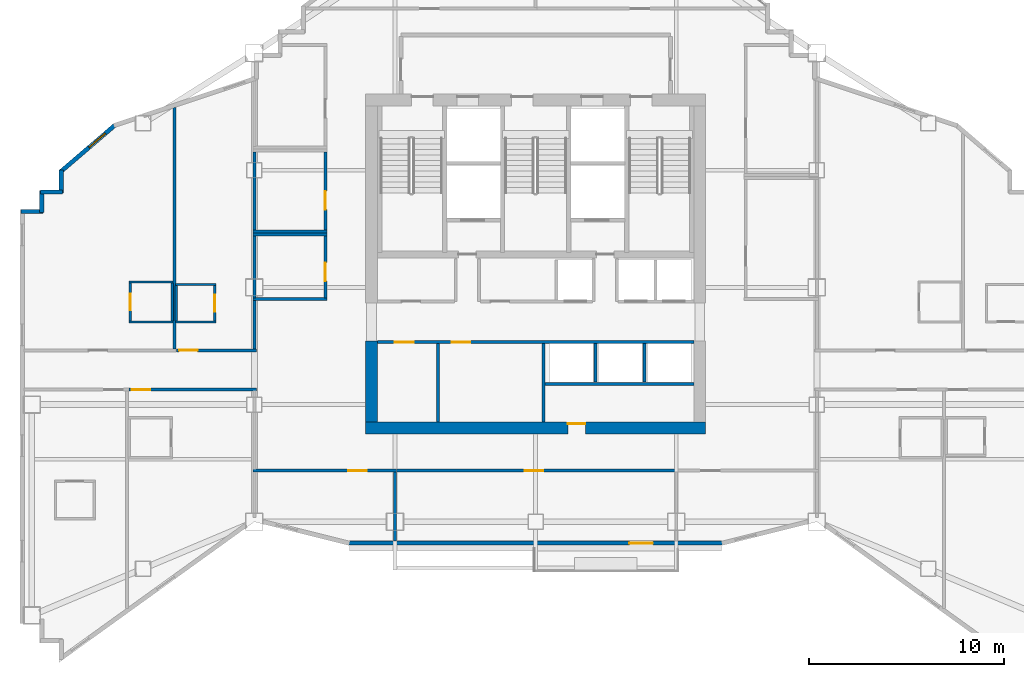
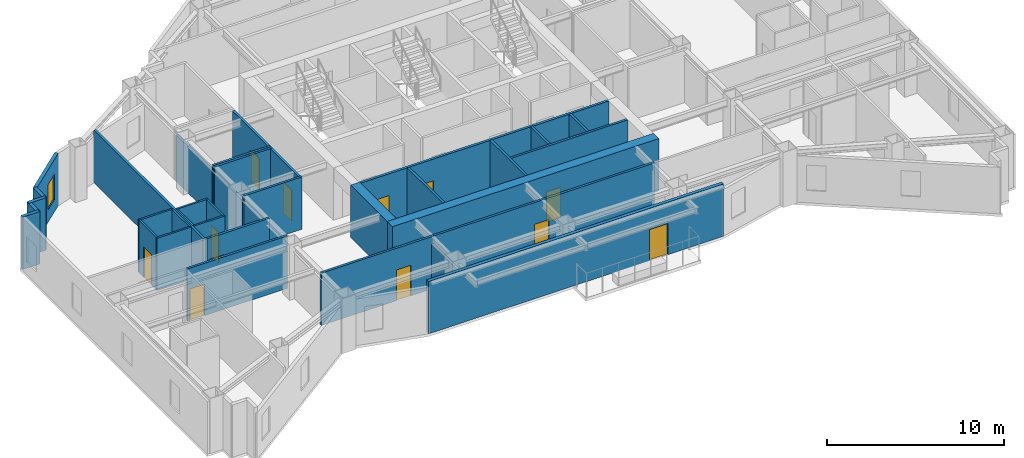
# One storey, part 5 of 10: 36 walls, 12 doors, 1 window, 13 openings.
"""IFC4 building model written with IfcOpenShell, lengths in metres."""

from ifc_helpers import new_model, si_unit, direction, frame, frame_2d, origin, place, context, subcontext, project, spatial, rectangle, extrude, material, layer, layer_set, type_object, element, fill, save


model = new_model("IFC4")

# Units and contexts
model_context = context("Model", 3, precision=1e-05, world=origin(), true_north=direction((0.0, 1.0)))
body_context = subcontext(model_context, "Body", "Model", "MODEL_VIEW")
ifc_project = project(units=[si_unit("LENGTHUNIT", "METRE"), si_unit("AREAUNIT", "SQUARE_METRE"), si_unit("VOLUMEUNIT", "CUBIC_METRE"), si_unit("PLANEANGLEUNIT", "RADIAN"), si_unit("MASSUNIT", "GRAM", prefix="KILO")], contexts=[model_context])

# Site, building, storey
site_placement = place(None, origin())
site = spatial("IfcSite", under=ifc_project, at=site_placement, CompositionType="ELEMENT")
building_placement = place(site_placement, origin())
building = spatial("IfcBuilding", under=site, at=building_placement, Name="Haolan Belvedere Tower", CompositionType="ELEMENT")
storey_placement = place(building_placement, frame((0.0, 0.0, 176.60009765625)))
storey = spatial("IfcBuildingStorey", under=building, at=storey_placement, Name="L44", CompositionType="ELEMENT", Elevation=176.60009765625)

# Wall, opening, door
ifc_material_1 = material(Name="Concrete C60/75", Category="concrete")
ifc_layer_1 = layer(ifc_material_1, 0.60009765625, Name="Concrete C60/75")
ifc_layer_set_1 = layer_set([ifc_layer_1], Name="Concrete C60/75")
wall_type_1 = type_object("IfcWallType", Name="WL-CORE-600", PredefinedType="SHEAR", material=ifc_layer_set_1)
wall_1_placement = place(storey_placement, frame((29.699951171875, 26.39990234375, 0.0), z_axis=(0.0, 0.0, 1.0), x_axis=(1.0, 0.0, 0.0)))
wall_1 = element("IfcWall", 1, at=wall_1_placement, inside=storey, type_object=wall_type_1, Name="L44 central core south shear wall", PredefinedType="SHEAR", context=body_context, shape_type="SweptSolid", body=[
    extrude(rectangle(XDim=17.400146484375, YDim=0.60009765625, at=frame_2d((8.7001953125, 0.0))), origin(), (0.0, 0.0, 1.0), 3.619873046875),
])
opening_1_placement = place(wall_1_placement, frame((11.25, 0.0, 0.0), z_axis=(0.0, 0.0, 1.0), x_axis=(-1.0, 0.0, 0.0)))
opening_1 = element("IfcOpeningElement", 2, at=opening_1_placement, cuts=wall_1, Name="Opening FD-05", PredefinedType="OPENING", context=body_context, shape_type="SweptSolid", body=[
    extrude(rectangle(XDim=0.89990234375, YDim=2.10009765625, at=frame_2d((0.449951171875, 1.050048828125))), frame((0.0, 0.31005859375, 0.0), z_axis=(0.0, -1.0, 0.0), x_axis=(1.0, 0.0, 0.0)), (0.0, 0.0, 1.0), 0.6201171875),
])
ifc_material_2 = material(Name="Galvanised fire-rated steel", Category="steel")
door_type_1 = type_object("IfcDoorType", Name="DR-FD60-900", OperationType="NOTDEFINED", PredefinedType="DOOR", material=ifc_material_2)
door_1_placement = place(opening_1_placement, origin())
door_1 = element("IfcDoor", 3, at=door_1_placement, inside=storey, type_object=door_type_1, Name="L44 door CD-L44-SCVE", OperationType="SINGLE_SWING_RIGHT", OverallHeight=2.10009765625, OverallWidth=0.89990234375, PredefinedType="DOOR", context=body_context, shape_type="SweptSolid", body=[
    extrude(rectangle(XDim=0.89990234375, YDim=2.10009765625, at=frame_2d((0.449951171875, 1.050048828125))), frame((0.0, -0.19482421875, 0.0), z_axis=(0.0, -1.0, 0.0), x_axis=(1.0, 0.0, 0.0)), (0.0, 0.0, 1.0), 0.050048828125),
])
fill(opening_1, door_1)

# Wall
wall_2_placement = place(storey_placement, frame((30.0, 26.699951171875, 0.0), z_axis=(0.0, 0.0, 1.0), x_axis=(0.0, 1.0, 0.0)))
element("IfcWall", 4, at=wall_2_placement, inside=storey, type_object=wall_type_1, Name="L44 central core shear wall WS", PredefinedType="SHEAR", context=body_context, shape_type="SweptSolid", body=[
    extrude(rectangle(XDim=4.150146484375, YDim=0.60009765625, at=frame_2d((2.0751953125, 0.0))), origin(), (0.0, 0.0, 1.0), 3.619873046875),
])

# Wall, opening, door
ifc_material_3 = material(Name="Precast concrete C40/50", Category="concrete")
ifc_layer_2 = layer(ifc_material_3, 0.219970703125, Name="Precast concrete C40/50")
ifc_layer_set_2 = layer_set([ifc_layer_2], Name="Precast concrete C40/50")
wall_type_2 = type_object("IfcWallType", Name="WL-EXT-220", PredefinedType="SOLIDWALL", material=ifc_layer_set_2)
wall_3_placement = place(storey_placement, frame((28.758544921875, 20.510009765625, 0.0), z_axis=(0.0, 0.0, 1.0), x_axis=(1.0, 0.0, 0.0)))
wall_3 = element("IfcWall", 5, at=wall_3_placement, inside=storey, type_object=wall_type_2, Name="L44 pale-metal exterior spandrel wall 1.1", PredefinedType="SOLIDWALL", context=body_context, shape_type="SweptSolid", body=[
    extrude(rectangle(XDim=19.282958984375, YDim=0.219970703125, at=frame_2d((9.6416015625, 0.0))), origin(), (0.0, 0.0, 1.0), 3.619873046875),
])
opening_2_placement = place(wall_3_placement, frame((15.641357421875, 0.0, 0.0), z_axis=(0.0, 0.0, 1.0), x_axis=(-1.0, 0.0, 0.0)))
opening_2 = element("IfcOpeningElement", 6, at=opening_2_placement, cuts=wall_3, Name="Opening BD-01", PredefinedType="OPENING", context=body_context, shape_type="SweptSolid", body=[
    extrude(rectangle(XDim=1.199951171875, YDim=2.14990234375, at=frame_2d((0.60009765625, 1.074951171875))), frame((0.0, 0.119873046875, 0.0), z_axis=(0.0, -1.0, 0.0), x_axis=(1.0, 0.0, 0.0)), (0.0, 0.0, 1.0), 0.239990234375),
])
ifc_material_4 = material(Name="Thermally broken pale-metal aluminium and Low-E glass", Category="aluminium")
door_type_2 = type_object("IfcDoorType", Name="DR-BAL-1200", OperationType="NOTDEFINED", PredefinedType="DOOR", material=ifc_material_4)
door_2_placement = place(opening_2_placement, origin())
door_2 = element("IfcDoor", 7, at=door_2_placement, inside=storey, type_object=door_type_2, Name="L44 tree-balcony access door 1", OperationType="SINGLE_SWING_RIGHT", OverallHeight=2.14990234375, OverallWidth=1.199951171875, PredefinedType="DOOR", context=body_context, shape_type="SweptSolid", body=[
    extrude(rectangle(XDim=1.199951171875, YDim=2.14990234375, at=frame_2d((0.60009765625, 1.074951171875))), frame((0.0, 0.02490234375, 0.0), z_axis=(0.0, -1.0, 0.0), x_axis=(1.0, 0.0, 0.0)), (0.0, 0.0, 1.0), 0.050048828125),
])
fill(opening_2, door_2)

# Wall, opening, window
wall_4_placement = place(storey_placement, frame((16.89697265625, 41.938232421875, 0.0), z_axis=(0.0, 0.0, 1.0), x_axis=(-0.759279729622, -0.650764390686, 0.0)))
wall_4 = element("IfcWall", 8, at=wall_4_placement, inside=storey, type_object=wall_type_2, Name="L44 pale-metal exterior spandrel wall 30.1", PredefinedType="SOLIDWALL", context=body_context, shape_type="SweptSolid", body=[
    extrude(rectangle(XDim=3.725830078125, YDim=0.219970703125, at=frame_2d((1.86279296875, 0.0))), origin(), (0.0, 0.0, 1.0), 3.619873046875),
])
opening_3_placement = place(wall_4_placement, frame((0.699951171875, 0.0, 0.85009765625)))
opening_3 = element("IfcOpeningElement", 9, at=opening_3_placement, cuts=wall_4, Name="Opening W-03", PredefinedType="OPENING", context=body_context, shape_type="SweptSolid", body=[
    extrude(rectangle(XDim=1.10009765625, YDim=1.75, at=frame_2d((0.550048828125, 0.875))), frame((0.0, 0.119873046875, 0.0), z_axis=(0.0, -1.0, 0.0), x_axis=(1.0, 0.0, 0.0)), (0.0, 0.0, 1.0), 0.239990234375),
])
ifc_material_5 = material(Name="Anodised aluminium 6063-T6 and Low-E glass", Category="aluminium")
window_type = type_object("IfcWindowType", Name="WN-DECO-Z3", PartitioningType="SINGLE_PANEL", PredefinedType="WINDOW", material=ifc_material_5)
window_placement = place(opening_3_placement, origin())
window = element("IfcWindow", 10, at=window_placement, inside=storey, type_object=window_type, Name="L44 Art Deco chevron window 1", OverallHeight=1.75, OverallWidth=1.10009765625, PartitioningType="SINGLE_PANEL", PredefinedType="WINDOW", context=body_context, shape_type="SweptSolid", body=[
    extrude(rectangle(XDim=1.10009765625, YDim=1.75, at=frame_2d((0.550048828125, 0.875))), frame((0.0, 0.030029296875, 0.0), z_axis=(0.0, -1.0, 0.0), x_axis=(1.0, 0.0, 0.0)), (0.0, 0.0, 1.0), 0.06005859375),
])
fill(opening_3, window)

# Walls
wall_5_placement = place(storey_placement, frame((14.110107421875, 39.6044921875, 0.0), z_axis=(0.0, 0.0, 1.0), x_axis=(0.0, -1.0, 0.0)))
element("IfcWall", 11, at=wall_5_placement, inside=storey, type_object=wall_type_2, Name="L44 pale-metal exterior spandrel wall 31.1", PredefinedType="SOLIDWALL", context=body_context, shape_type="SweptSolid", body=[
    extrude(rectangle(XDim=1.16943359375, YDim=0.219970703125, at=frame_2d((0.584716796875, 0.0))), origin(), (0.0, 0.0, 1.0), 3.619873046875),
])
wall_6_placement = place(storey_placement, frame((14.1650390625, 38.489990234375, 0.0), z_axis=(0.0, 0.0, 1.0), x_axis=(-1.0, 0.0, 0.0)))
element("IfcWall", 12, at=wall_6_placement, inside=storey, type_object=wall_type_2, Name="L44 pale-metal exterior spandrel wall 32.1", PredefinedType="SOLIDWALL", context=body_context, shape_type="SweptSolid", body=[
    extrude(rectangle(XDim=1.110107421875, YDim=0.219970703125, at=frame_2d((0.55517578125, 0.0))), origin(), (0.0, 0.0, 1.0), 3.619873046875),
])
wall_7_placement = place(storey_placement, frame((13.110107421875, 38.544921875, 0.0), z_axis=(0.0, 0.0, 1.0), x_axis=(0.0, -1.0, 0.0)))
element("IfcWall", 13, at=wall_7_placement, inside=storey, type_object=wall_type_2, Name="L44 pale-metal exterior spandrel wall 33.1", PredefinedType="SOLIDWALL", context=body_context, shape_type="SweptSolid", body=[
    extrude(rectangle(XDim=1.10986328125, YDim=0.219970703125, at=frame_2d((0.554931640625, 0.0))), origin(), (0.0, 0.0, 1.0), 3.619873046875),
])
wall_8_placement = place(storey_placement, frame((13.1650390625, 37.489990234375, 0.0), z_axis=(0.0, 0.0, 1.0), x_axis=(-1.0, 0.0, 0.0)))
element("IfcWall", 14, at=wall_8_placement, inside=storey, type_object=wall_type_2, Name="L44 pale-metal exterior spandrel wall 34.1", PredefinedType="SOLIDWALL", context=body_context, shape_type="SweptSolid", body=[
    extrude(rectangle(XDim=1.110107421875, YDim=0.219970703125, at=frame_2d((0.55517578125, 0.0))), origin(), (0.0, 0.0, 1.0), 3.619873046875),
])
ifc_material_6 = material(Name="Double gypsum acoustic stud partition", Category="masonry")
ifc_layer_3 = layer(ifc_material_6, 0.14990234375, Name="Double gypsum acoustic stud partition")
ifc_layer_set_3 = layer_set([ifc_layer_3], Name="Double gypsum acoustic stud partition")
wall_type_3 = type_object("IfcWallType", Name="WL-PART-150", PredefinedType="PARTITIONING", material=ifc_layer_set_3)
wall_9_placement = place(storey_placement, frame((33.39990234375, 26.7099609375, 0.0), z_axis=(0.0, 0.0, 1.0), x_axis=(0.0, 1.0, 0.0)))
element("IfcWall", 15, at=wall_9_placement, inside=storey, type_object=wall_type_3, Name="L44 interior partition IW-L44-DIV-REUSE-PM", PredefinedType="PARTITIONING", context=body_context, shape_type="SweptSolid", body=[
    extrude(rectangle(XDim=4.025146484375, YDim=0.14990234375, at=frame_2d((2.0126953125, 0.0))), origin(), (0.0, 0.0, 1.0), 3.619873046875),
])
wall_10_placement = place(storey_placement, frame((38.860107421875, 28.659912109375, 0.0), z_axis=(0.0, 0.0, 1.0), x_axis=(1.0, 0.0, 0.0)))
element("IfcWall", 16, at=wall_10_placement, inside=storey, type_object=wall_type_3, Name="L44 interior partition IW-L44-SSTRIP-E", PredefinedType="PARTITIONING", context=body_context, shape_type="SweptSolid", body=[
    extrude(rectangle(XDim=7.639892578125, YDim=0.14990234375, at=frame_2d((3.81982421875, 0.0))), origin(), (0.0, 0.0, 1.0), 3.619873046875),
])
for number, where, z_axis, x_axis, name in (
    (17, (23.919921875, 36.300048828125, 0.0), (0.0, 0.0, 1.0), (1.0, 0.0, 0.0), "L44 interior partition IW-L44-AWC-N"),
    (18, (23.919921875, 33.0, 0.0), (0.0, 0.0, 1.0), (1.0, 0.0, 0.0), "L44 interior partition IW-L44-AWC-S"),
):
    element("IfcWall", number, at=place(storey_placement, frame(where, z_axis=z_axis, x_axis=x_axis)), inside=storey, type_object=wall_type_3, Name=name, PredefinedType="PARTITIONING", context=body_context, shape_type="SweptSolid", body=[
        extrude(rectangle(XDim=3.800048828125, YDim=0.14990234375, at=frame_2d((1.89990234375, 0.0))), origin(), (0.0, 0.0, 1.0), 3.619873046875),
    ])
wall_11_placement = place(storey_placement, frame((24.0, 33.06005859375, 0.0), z_axis=(0.0, 0.0, 1.0), x_axis=(0.0, 1.0, 0.0)))
element("IfcWall", 19, at=wall_11_placement, inside=storey, type_object=wall_type_3, Name="L44 interior partition IW-L44-AWC-W", PredefinedType="PARTITIONING", context=body_context, shape_type="SweptSolid", body=[
    extrude(rectangle(XDim=3.179931640625, YDim=0.14990234375, at=frame_2d((1.58984375, 0.0))), origin(), (0.0, 0.0, 1.0), 3.21484375),
])

# Wall, opening, door
wall_12_placement = place(storey_placement, frame((27.639892578125, 33.06005859375, 0.0), z_axis=(0.0, 0.0, 1.0), x_axis=(0.0, 1.0, 0.0)))
wall_12 = element("IfcWall", 20, at=wall_12_placement, inside=storey, type_object=wall_type_3, Name="L44 interior partition IW-L44-AWC-E", PredefinedType="PARTITIONING", context=body_context, shape_type="SweptSolid", body=[
    extrude(rectangle(XDim=3.179931640625, YDim=0.14990234375, at=frame_2d((1.58984375, 0.0))), origin(), (0.0, 0.0, 1.0), 3.619873046875),
])
opening_4_placement = place(wall_12_placement, frame((1.81005859375, 0.0, 0.0), z_axis=(0.0, 0.0, 1.0), x_axis=(-1.0, 0.0, 0.0)))
opening_4 = element("IfcOpeningElement", 21, at=opening_4_placement, cuts=wall_12, Name="Opening ID-03", PredefinedType="OPENING", context=body_context, shape_type="SweptSolid", body=[
    extrude(rectangle(XDim=0.949951171875, YDim=2.1201171875, at=frame_2d((0.47509765625, 1.06005859375))), frame((0.0, 0.0849609375, 0.0), z_axis=(0.0, -1.0, 0.0), x_axis=(1.0, 0.0, 0.0)), (0.0, 0.0, 1.0), 0.169921875),
])
ifc_material_7 = material(Name="Painted solid-core timber", Category="wood")
door_type_3 = type_object("IfcDoorType", Name="DR-INT-950", OperationType="NOTDEFINED", PredefinedType="DOOR", material=ifc_material_7)
door_3_placement = place(opening_4_placement, origin())
door_3 = element("IfcDoor", 22, at=door_3_placement, inside=storey, type_object=door_type_3, Name="L44 door ID-L44-AWC", OperationType="SINGLE_SWING_LEFT", OverallHeight=2.1201171875, OverallWidth=0.949951171875, PredefinedType="DOOR", context=body_context, shape_type="SweptSolid", body=[
    extrude(rectangle(XDim=0.949951171875, YDim=2.1201171875, at=frame_2d((0.47509765625, 1.06005859375))), frame((0.0, 0.02490234375, 0.0), z_axis=(0.0, -1.0, 0.0), x_axis=(1.0, 0.0, 0.0)), (0.0, 0.0, 1.0), 0.050048828125),
])
fill(opening_4, door_3)

# Walls
wall_13_placement = place(storey_placement, frame((23.919921875, 36.4599609375, 0.0), z_axis=(0.0, 0.0, 1.0), x_axis=(1.0, 0.0, 0.0)))
element("IfcWall", 23, at=wall_13_placement, inside=storey, type_object=wall_type_3, Name="L44 interior partition IW-L44-PNT-S", PredefinedType="PARTITIONING", context=body_context, shape_type="SweptSolid", body=[
    extrude(rectangle(XDim=3.800048828125, YDim=0.14990234375, at=frame_2d((1.89990234375, 0.0))), origin(), (0.0, 0.0, 1.0), 3.619873046875),
])
wall_14_placement = place(storey_placement, frame((24.0, 36.52001953125, 0.0), z_axis=(0.0, 0.0, 1.0), x_axis=(0.0, 1.0, 0.0)))
element("IfcWall", 24, at=wall_14_placement, inside=storey, type_object=wall_type_3, Name="L44 interior partition IW-L44-PNT-W", PredefinedType="PARTITIONING", context=body_context, shape_type="SweptSolid", body=[
    extrude(rectangle(XDim=4.02001953125, YDim=0.14990234375, at=frame_2d((2.010009765625, 0.0))), origin(), (0.0, 0.0, 1.0), 3.21484375),
])

# Wall, opening, door
wall_15_placement = place(storey_placement, frame((27.639892578125, 36.52001953125, 0.0), z_axis=(0.0, 0.0, 1.0), x_axis=(0.0, 1.0, 0.0)))
wall_15 = element("IfcWall", 25, at=wall_15_placement, inside=storey, type_object=wall_type_3, Name="L44 interior partition IW-L44-PNT-E", PredefinedType="PARTITIONING", context=body_context, shape_type="SweptSolid", body=[
    extrude(rectangle(XDim=4.02001953125, YDim=0.14990234375, at=frame_2d((2.010009765625, 0.0))), origin(), (0.0, 0.0, 1.0), 3.619873046875),
])
opening_5_placement = place(wall_15_placement, frame((2.010009765625, 0.0, 0.0), z_axis=(0.0, 0.0, 1.0), x_axis=(-1.0, 0.0, 0.0)))
opening_5 = element("IfcOpeningElement", 26, at=opening_5_placement, cuts=wall_15, Name="Opening ID-03", PredefinedType="OPENING", context=body_context, shape_type="SweptSolid", body=[
    extrude(rectangle(XDim=0.949951171875, YDim=2.1201171875, at=frame_2d((0.47509765625, 1.06005859375))), frame((0.0, 0.0849609375, 0.0), z_axis=(0.0, -1.0, 0.0), x_axis=(1.0, 0.0, 0.0)), (0.0, 0.0, 1.0), 0.169921875),
])
door_4_placement = place(opening_5_placement, origin())
door_4 = element("IfcDoor", 27, at=door_4_placement, inside=storey, type_object=door_type_3, Name="L44 door ID-L44-PNT", OperationType="SINGLE_SWING_RIGHT", OverallHeight=2.1201171875, OverallWidth=0.949951171875, PredefinedType="DOOR", context=body_context, shape_type="SweptSolid", body=[
    extrude(rectangle(XDim=0.949951171875, YDim=2.1201171875, at=frame_2d((0.47509765625, 1.06005859375))), frame((0.0, 0.02490234375, 0.0), z_axis=(0.0, -1.0, 0.0), x_axis=(1.0, 0.0, 0.0)), (0.0, 0.0, 1.0), 0.050048828125),
])
fill(opening_5, door_4)

wall_16_placement = place(storey_placement, frame((23.919921875, 24.219970703125, 0.0), z_axis=(0.0, 0.0, 1.0), x_axis=(1.0, 0.0, 0.0)))
wall_16 = element("IfcWall", 28, at=wall_16_placement, inside=storey, type_object=wall_type_3, Name="L44 interior partition IW-L44-KS1-N", PredefinedType="PARTITIONING", context=body_context, shape_type="SweptSolid", body=[
    extrude(rectangle(XDim=7.360107421875, YDim=0.14990234375, at=frame_2d((3.68017578125, 0.0))), origin(), (0.0, 0.0, 1.0), 3.619873046875),
])
opening_6_placement = place(wall_16_placement, frame((5.844970703125, 0.0, 0.0), z_axis=(0.0, 0.0, 1.0), x_axis=(-1.0, 0.0, 0.0)))
opening_6 = element("IfcOpeningElement", 29, at=opening_6_placement, cuts=wall_16, Name="Opening ID-03", PredefinedType="OPENING", context=body_context, shape_type="SweptSolid", body=[
    extrude(rectangle(XDim=0.949951171875, YDim=2.1201171875, at=frame_2d((0.47509765625, 1.06005859375))), frame((0.0, 0.0849609375, 0.0), z_axis=(0.0, -1.0, 0.0), x_axis=(1.0, 0.0, 0.0)), (0.0, 0.0, 1.0), 0.169921875),
])
door_5_placement = place(opening_6_placement, origin())
door_5 = element("IfcDoor", 30, at=door_5_placement, inside=storey, type_object=door_type_3, Name="L44 door ID-L44-KS1", OperationType="SINGLE_SWING_RIGHT", OverallHeight=2.1201171875, OverallWidth=0.949951171875, PredefinedType="DOOR", context=body_context, shape_type="SweptSolid", body=[
    extrude(rectangle(XDim=0.949951171875, YDim=2.1201171875, at=frame_2d((0.47509765625, 1.06005859375))), frame((0.0, 0.02490234375, 0.0), z_axis=(0.0, -1.0, 0.0), x_axis=(1.0, 0.0, 0.0)), (0.0, 0.0, 1.0), 0.050048828125),
])
fill(opening_6, door_5)

# Wall
wall_17_placement = place(storey_placement, frame((31.199951171875, 20.612060546875, 0.0), z_axis=(0.0, 0.0, 1.0), x_axis=(0.0, 1.0, 0.0)))
element("IfcWall", 31, at=wall_17_placement, inside=storey, type_object=wall_type_3, Name="L44 interior partition IW-L44-KS1-E", PredefinedType="PARTITIONING", context=body_context, shape_type="SweptSolid", body=[
    extrude(rectangle(XDim=3.5478515625, YDim=0.14990234375, at=frame_2d((1.77392578125, 0.0))), origin(), (0.0, 0.0, 1.0), 3.10498046875),
])

# Wall, opening, door
wall_18_placement = place(storey_placement, frame((31.281982421875, 24.219970703125, 0.0), z_axis=(0.0, 0.0, 1.0), x_axis=(1.0, 0.0, 0.0)))
wall_18 = element("IfcWall", 32, at=wall_18_placement, inside=storey, type_object=wall_type_3, Name="L44 interior partition IW-L44-KS2-N", PredefinedType="PARTITIONING", context=body_context, shape_type="SweptSolid", body=[
    extrude(rectangle(XDim=14.39794921875, YDim=0.14990234375, at=frame_2d((7.198974609375, 0.0))), origin(), (0.0, 0.0, 1.0), 3.619873046875),
])
opening_7_placement = place(wall_18_placement, frame((7.512939453125, 0.0, 0.0), z_axis=(0.0, 0.0, 1.0), x_axis=(-1.0, 0.0, 0.0)))
opening_7 = element("IfcOpeningElement", 33, at=opening_7_placement, cuts=wall_18, Name="Opening ID-03", PredefinedType="OPENING", context=body_context, shape_type="SweptSolid", body=[
    extrude(rectangle(XDim=0.949951171875, YDim=2.1201171875, at=frame_2d((0.47509765625, 1.06005859375))), frame((0.0, 0.0849609375, 0.0), z_axis=(0.0, -1.0, 0.0), x_axis=(1.0, 0.0, 0.0)), (0.0, 0.0, 1.0), 0.169921875),
])
door_6_placement = place(opening_7_placement, origin())
door_6 = element("IfcDoor", 34, at=door_6_placement, inside=storey, type_object=door_type_3, Name="L44 door ID-L44-KS2", OperationType="SINGLE_SWING_LEFT", OverallHeight=2.1201171875, OverallWidth=0.949951171875, PredefinedType="DOOR", context=body_context, shape_type="SweptSolid", body=[
    extrude(rectangle(XDim=0.949951171875, YDim=2.1201171875, at=frame_2d((0.47509765625, 1.06005859375))), frame((0.0, 0.02490234375, 0.0), z_axis=(0.0, -1.0, 0.0), x_axis=(1.0, 0.0, 0.0)), (0.0, 0.0, 1.0), 0.050048828125),
])
fill(opening_7, door_6)

# Wall
wall_19_placement = place(storey_placement, frame((19.89990234375, 30.43994140625, 0.0), z_axis=(0.0, 0.0, 1.0), x_axis=(0.0, 1.0, 0.0)))
element("IfcWall", 35, at=wall_19_placement, inside=storey, type_object=wall_type_3, Name="L44 interior partition IW-L44-T2N1-E", PredefinedType="PARTITIONING", context=body_context, shape_type="SweptSolid", body=[
    extrude(rectangle(XDim=12.369873046875, YDim=0.14990234375, at=frame_2d((6.18505859375, 0.0))), origin(), (0.0, 0.0, 1.0), 3.619873046875),
])

# Wall, opening, door
wall_20_placement = place(storey_placement, frame((20.001953125, 30.3798828125, 0.0), z_axis=(0.0, 0.0, 1.0), x_axis=(1.0, 0.0, 0.0)))
wall_20 = element("IfcWall", 36, at=wall_20_placement, inside=storey, type_object=wall_type_3, Name="L44 interior partition IW-L44-T2N2-S", PredefinedType="PARTITIONING", context=body_context, shape_type="SweptSolid", body=[
    extrude(rectangle(XDim=4.09814453125, YDim=0.14990234375, at=frame_2d((2.049072265625, 0.0))), origin(), (0.0, 0.0, 1.0), 3.619873046875),
])
opening_8_placement = place(wall_20_placement, frame((0.139892578125, 0.0, 0.0)))
opening_8 = element("IfcOpeningElement", 37, at=opening_8_placement, cuts=wall_20, Name="Opening ID-02", PredefinedType="OPENING", context=body_context, shape_type="SweptSolid", body=[
    extrude(rectangle(XDim=0.949951171875, YDim=2.14990234375, at=frame_2d((0.47509765625, 1.074951171875))), frame((0.0, 0.0849609375, 0.0), z_axis=(0.0, -1.0, 0.0), x_axis=(1.0, 0.0, 0.0)), (0.0, 0.0, 1.0), 0.169921875),
])
ifc_material_8 = material(Name="Acoustic oak veneer fire-rated timber", Category="wood")
door_type_4 = type_object("IfcDoorType", Name="DR-GUEST-950", OperationType="NOTDEFINED", PredefinedType="DOOR", material=ifc_material_8)
door_7_placement = place(opening_8_placement, origin())
door_7 = element("IfcDoor", 38, at=door_7_placement, inside=storey, type_object=door_type_4, Name="L44 door ID-L44-T2N2-ENT", OperationType="SINGLE_SWING_RIGHT", OverallHeight=2.14990234375, OverallWidth=0.949951171875, PredefinedType="DOOR", context=body_context, shape_type="SweptSolid", body=[
    extrude(rectangle(XDim=0.949951171875, YDim=2.14990234375, at=frame_2d((0.47509765625, 1.074951171875))), frame((0.0, 0.02490234375, 0.0), z_axis=(0.0, -1.0, 0.0), x_axis=(1.0, 0.0, 0.0)), (0.0, 0.0, 1.0), 0.050048828125),
])
fill(opening_8, door_7)

# Wall
wall_21_placement = place(storey_placement, frame((24.0, 30.43994140625, 0.0), z_axis=(0.0, 0.0, 1.0), x_axis=(0.0, 1.0, 0.0)))
element("IfcWall", 39, at=wall_21_placement, inside=storey, type_object=wall_type_3, Name="L44 interior partition IW-L44-T2N2-E", PredefinedType="PARTITIONING", context=body_context, shape_type="SweptSolid", body=[
    extrude(rectangle(XDim=2.5, YDim=0.14990234375, at=frame_2d((1.25, 0.0))), origin(), (0.0, 0.0, 1.0), 3.21484375),
])

# Wall, opening, door
wall_22_placement = place(storey_placement, frame((17.58203125, 28.3701171875, 0.0), z_axis=(0.0, 0.0, 1.0), x_axis=(1.0, 0.0, 0.0)))
wall_22 = element("IfcWall", 40, at=wall_22_placement, inside=storey, type_object=wall_type_3, Name="L44 interior partition IW-L44-T2S2-N", PredefinedType="PARTITIONING", context=body_context, shape_type="SweptSolid", body=[
    extrude(rectangle(XDim=6.51806640625, YDim=0.14990234375, at=frame_2d((3.259033203125, 0.0))), origin(), (0.0, 0.0, 1.0), 3.619873046875),
])
opening_9_placement = place(wall_22_placement, frame((1.08984375, 0.0, 0.0), z_axis=(0.0, 0.0, 1.0), x_axis=(-1.0, 0.0, 0.0)))
opening_9 = element("IfcOpeningElement", 41, at=opening_9_placement, cuts=wall_22, Name="Opening ID-01", PredefinedType="OPENING", context=body_context, shape_type="SweptSolid", body=[
    extrude(rectangle(XDim=0.949951171875, YDim=2.179931640625, at=frame_2d((0.47509765625, 1.08984375))), frame((0.0, 0.0849609375, 0.0), z_axis=(0.0, -1.0, 0.0), x_axis=(1.0, 0.0, 0.0)), (0.0, 0.0, 1.0), 0.169921875),
])
ifc_material_9 = material(Name="Acoustic walnut veneer fire-rated timber", Category="wood")
door_type_5 = type_object("IfcDoorType", Name="DR-SUITE-950", OperationType="NOTDEFINED", PredefinedType="DOOR", material=ifc_material_9)
door_8_placement = place(opening_9_placement, origin())
door_8 = element("IfcDoor", 42, at=door_8_placement, inside=storey, type_object=door_type_5, Name="L44 door ID-L44-T2S2-ENT", OperationType="SINGLE_SWING_RIGHT", OverallHeight=2.179931640625, OverallWidth=0.949951171875, PredefinedType="DOOR", context=body_context, shape_type="SweptSolid", body=[
    extrude(rectangle(XDim=0.949951171875, YDim=2.179931640625, at=frame_2d((0.47509765625, 1.08984375))), frame((0.0, 0.02490234375, 0.0), z_axis=(0.0, -1.0, 0.0), x_axis=(1.0, 0.0, 0.0)), (0.0, 0.0, 1.0), 0.050048828125),
])
fill(opening_9, door_8)

# Wall, openings, doors
ifc_material_10 = material(Name="Gypsum fire shaftwall assembly", Category="masonry")
ifc_layer_4 = layer(ifc_material_10, 0.1650390625, Name="Gypsum fire shaftwall assembly")
ifc_layer_set_4 = layer_set([ifc_layer_4], Name="Gypsum fire shaftwall assembly")
wall_type_4 = type_object("IfcWallType", Name="WL-SHAFT-160", PredefinedType="SOLIDWALL", material=ifc_layer_set_4)
wall_23_placement = place(storey_placement, frame((30.300048828125, 30.800048828125, 0.0), z_axis=(0.0, 0.0, 1.0), x_axis=(1.0, 0.0, 0.0)))
wall_23 = element("IfcWall", 43, at=wall_23_placement, inside=storey, type_object=wall_type_4, Name="L44 interior partition IW-L44-ROW-PS", PredefinedType="SOLIDWALL", context=body_context, shape_type="SweptSolid", body=[
    extrude(rectangle(XDim=16.199951171875, YDim=0.159912109375, at=frame_2d((8.10009765625, 0.0))), origin(), (0.0, 0.0, 1.0), 3.619873046875),
])
opening_10_placement = place(wall_23_placement, frame((0.89990234375, 0.0, 0.0)))
opening_10 = element("IfcOpeningElement", 44, at=opening_10_placement, cuts=wall_23, Name="Opening ID-03", PredefinedType="OPENING", context=body_context, shape_type="SweptSolid", body=[
    extrude(rectangle(XDim=0.949951171875, YDim=2.1201171875, at=frame_2d((0.47509765625, 1.06005859375))), frame((0.0, 0.08984375, 0.0), z_axis=(0.0, -1.0, 0.0), x_axis=(1.0, 0.0, 0.0)), (0.0, 0.0, 1.0), 0.179931640625),
])
opening_11_placement = place(wall_23_placement, frame((3.800048828125, 0.0, 0.0)))
opening_11 = element("IfcOpeningElement", 45, at=opening_11_placement, cuts=wall_23, Name="Opening ID-03", PredefinedType="OPENING", context=body_context, shape_type="SweptSolid", body=[
    extrude(rectangle(XDim=0.949951171875, YDim=2.1201171875, at=frame_2d((0.47509765625, 1.06005859375))), frame((0.0, 0.08984375, 0.0), z_axis=(0.0, -1.0, 0.0), x_axis=(1.0, 0.0, 0.0)), (0.0, 0.0, 1.0), 0.179931640625),
])
door_9_placement = place(opening_10_placement, origin())
door_9 = element("IfcDoor", 46, at=door_9_placement, inside=storey, type_object=door_type_3, Name="L44 door ID-L44-CD-RPMA", OperationType="SINGLE_SWING_LEFT", OverallHeight=2.1201171875, OverallWidth=0.949951171875, PredefinedType="DOOR", context=body_context, shape_type="SweptSolid", body=[
    extrude(rectangle(XDim=0.949951171875, YDim=2.1201171875, at=frame_2d((0.47509765625, 1.06005859375))), frame((0.0, 0.02490234375, 0.0), z_axis=(0.0, -1.0, 0.0), x_axis=(1.0, 0.0, 0.0)), (0.0, 0.0, 1.0), 0.050048828125),
])
fill(opening_10, door_9)
door_10_placement = place(opening_11_placement, origin())
door_10 = element("IfcDoor", 47, at=door_10_placement, inside=storey, type_object=door_type_3, Name="L44 door ID-L44-CD-RPMB", OperationType="SINGLE_SWING_RIGHT", OverallHeight=2.1201171875, OverallWidth=0.949951171875, PredefinedType="DOOR", context=body_context, shape_type="SweptSolid", body=[
    extrude(rectangle(XDim=0.949951171875, YDim=2.1201171875, at=frame_2d((0.47509765625, 1.06005859375))), frame((0.0, 0.02490234375, 0.0), z_axis=(0.0, -1.0, 0.0), x_axis=(1.0, 0.0, 0.0)), (0.0, 0.0, 1.0), 0.050048828125),
])
fill(opening_11, door_10)

# Walls
wall_24_placement = place(storey_placement, frame((38.800048828125, 26.7099609375, 0.0), z_axis=(0.0, 0.0, 1.0), x_axis=(0.0, 1.0, 0.0)))
element("IfcWall", 48, at=wall_24_placement, inside=storey, type_object=wall_type_4, Name="L44 interior partition IW-L44-DIV-PM-OB", PredefinedType="SOLIDWALL", context=body_context, shape_type="SweptSolid", body=[
    extrude(rectangle(XDim=4.025146484375, YDim=0.14990234375, at=frame_2d((2.0126953125, 0.0))), origin(), (0.0, 0.0, 1.0), 3.619873046875),
])
for number, where, z_axis, x_axis, name in (
    (49, (41.469970703125, 28.75, 0.0), (0.0, 0.0, 1.0), (0.0, 1.0, 0.0), "L44 interior partition IW-L44-DIV-OB1"),
    (50, (43.97998046875, 28.75, 0.0), (0.0, 0.0, 1.0), (0.0, 1.0, 0.0), "L44 interior partition IW-L44-DIV-OB2"),
):
    element("IfcWall", number, at=place(storey_placement, frame(where, z_axis=z_axis, x_axis=x_axis)), inside=storey, type_object=wall_type_4, Name=name, PredefinedType="SOLIDWALL", context=body_context, shape_type="SweptSolid", body=[
        extrude(rectangle(XDim=1.985107421875, YDim=0.14990234375, at=frame_2d((0.99267578125, 0.0))), origin(), (0.0, 0.0, 1.0), 3.619873046875),
    ])
ifc_material_11 = material(Name="Moisture-resistant gypsum tile partition", Category="masonry")
ifc_layer_5 = layer(ifc_material_11, 0.1201171875, Name="Moisture-resistant gypsum tile partition")
ifc_layer_set_5 = layer_set([ifc_layer_5], Name="Moisture-resistant gypsum tile partition")
wall_type_5 = type_object("IfcWallType", Name="WL-WET-120", PredefinedType="PARTITIONING", material=ifc_layer_set_5)
for number, where, z_axis, x_axis, name in (
    (51, (17.590087890625, 33.8798828125, 0.0), (0.0, 0.0, 1.0), (1.0, 0.0, 0.0), "L44 interior partition IW-L44-T2N1-BN"),
    (52, (17.590087890625, 31.830078125, 0.0), (0.0, 0.0, 1.0), (1.0, 0.0, 0.0), "L44 interior partition IW-L44-T2N1-BS"),
):
    element("IfcWall", number, at=place(storey_placement, frame(where, z_axis=z_axis, x_axis=x_axis)), inside=storey, type_object=wall_type_5, Name=name, PredefinedType="PARTITIONING", context=body_context, shape_type="SweptSolid", body=[
        extrude(rectangle(XDim=2.25, YDim=0.1201171875, at=frame_2d((1.125, 0.0))), origin(), (0.0, 0.0, 1.0), 3.619873046875),
    ])

# Wall, opening, door
wall_25_placement = place(storey_placement, frame((17.64990234375, 31.875, 0.0), z_axis=(0.0, 0.0, 1.0), x_axis=(0.0, 1.0, 0.0)))
wall_25 = element("IfcWall", 53, at=wall_25_placement, inside=storey, type_object=wall_type_5, Name="L44 interior partition IW-L44-T2N1-BW", PredefinedType="PARTITIONING", context=body_context, shape_type="SweptSolid", body=[
    extrude(rectangle(XDim=1.9599609375, YDim=0.1201171875, at=frame_2d((0.97998046875, 0.0))), origin(), (0.0, 0.0, 1.0), 3.619873046875),
])
opening_12_placement = place(wall_25_placement, frame((1.405029296875, 0.0, 0.0), z_axis=(0.0, 0.0, 1.0), x_axis=(-1.0, 0.0, 0.0)))
opening_12 = element("IfcOpeningElement", 54, at=opening_12_placement, cuts=wall_25, Name="Opening ID-05", PredefinedType="OPENING", context=body_context, shape_type="SweptSolid", body=[
    extrude(rectangle(XDim=0.85009765625, YDim=2.10009765625, at=frame_2d((0.425048828125, 1.050048828125))), frame((0.0, 0.070068359375, 0.0), z_axis=(0.0, -1.0, 0.0), x_axis=(1.0, 0.0, 0.0)), (0.0, 0.0, 1.0), 0.14013671875),
])
ifc_material_12 = material(Name="Moisture-resistant lacquered timber", Category="wood")
door_type_6 = type_object("IfcDoorType", Name="DR-BATH-850", OperationType="NOTDEFINED", PredefinedType="DOOR", material=ifc_material_12)
door_11_placement = place(opening_12_placement, origin())
door_11 = element("IfcDoor", 55, at=door_11_placement, inside=storey, type_object=door_type_6, Name="L44 door ID-L44-T2N1-BATH", OperationType="SINGLE_SWING_RIGHT", OverallHeight=2.10009765625, OverallWidth=0.85009765625, PredefinedType="DOOR", context=body_context, shape_type="SweptSolid", body=[
    extrude(rectangle(XDim=0.85009765625, YDim=2.10009765625, at=frame_2d((0.425048828125, 1.050048828125))), frame((0.0, 0.02490234375, 0.0), z_axis=(0.0, -1.0, 0.0), x_axis=(1.0, 0.0, 0.0)), (0.0, 0.0, 1.0), 0.050048828125),
])
fill(opening_12, door_11)

# Walls
wall_26_placement = place(storey_placement, frame((19.800048828125, 31.875, 0.0), z_axis=(0.0, 0.0, 1.0), x_axis=(0.0, 1.0, 0.0)))
element("IfcWall", 56, at=wall_26_placement, inside=storey, type_object=wall_type_5, Name="L44 interior partition IW-L44-T2N1-BE", PredefinedType="PARTITIONING", context=body_context, shape_type="SweptSolid", body=[
    extrude(rectangle(XDim=1.9599609375, YDim=0.1201171875, at=frame_2d((0.97998046875, 0.0))), origin(), (0.0, 0.0, 1.0), 3.619873046875),
])
for number, where, z_axis, x_axis, name in (
    (57, (19.9599609375, 33.75, 0.0), (0.0, 0.0, 1.0), (1.0, 0.0, 0.0), "L44 interior partition IW-L44-T2N2-BN"),
    (58, (19.9599609375, 31.830078125, 0.0), (0.0, 0.0, 1.0), (1.0, 0.0, 0.0), "L44 interior partition IW-L44-T2N2-BS"),
):
    element("IfcWall", number, at=place(storey_placement, frame(where, z_axis=z_axis, x_axis=x_axis)), inside=storey, type_object=wall_type_5, Name=name, PredefinedType="PARTITIONING", context=body_context, shape_type="SweptSolid", body=[
        extrude(rectangle(XDim=2.080078125, YDim=0.1201171875, at=frame_2d((1.0400390625, 0.0))), origin(), (0.0, 0.0, 1.0), 3.619873046875),
    ])
wall_27_placement = place(storey_placement, frame((20.0, 31.875, 0.0), z_axis=(0.0, 0.0, 1.0), x_axis=(0.0, 1.0, 0.0)))
element("IfcWall", 59, at=wall_27_placement, inside=storey, type_object=wall_type_5, Name="L44 interior partition IW-L44-T2N2-BW", PredefinedType="PARTITIONING", context=body_context, shape_type="SweptSolid", body=[
    extrude(rectangle(XDim=1.830078125, YDim=0.1201171875, at=frame_2d((0.9150390625, 0.0))), origin(), (0.0, 0.0, 1.0), 3.619873046875),
])

# Wall, opening, door
wall_28_placement = place(storey_placement, frame((21.97998046875, 31.875, 0.0), z_axis=(0.0, 0.0, 1.0), x_axis=(0.0, 1.0, 0.0)))
wall_28 = element("IfcWall", 60, at=wall_28_placement, inside=storey, type_object=wall_type_5, Name="L44 interior partition IW-L44-T2N2-BE", PredefinedType="PARTITIONING", context=body_context, shape_type="SweptSolid", body=[
    extrude(rectangle(XDim=1.830078125, YDim=0.1201171875, at=frame_2d((0.9150390625, 0.0))), origin(), (0.0, 0.0, 1.0), 3.619873046875),
])
opening_13_placement = place(wall_28_placement, frame((0.489990234375, 0.0, 0.0)))
opening_13 = element("IfcOpeningElement", 61, at=opening_13_placement, cuts=wall_28, Name="Opening ID-05", PredefinedType="OPENING", context=body_context, shape_type="SweptSolid", body=[
    extrude(rectangle(XDim=0.85009765625, YDim=2.10009765625, at=frame_2d((0.425048828125, 1.050048828125))), frame((0.0, 0.070068359375, 0.0), z_axis=(0.0, -1.0, 0.0), x_axis=(1.0, 0.0, 0.0)), (0.0, 0.0, 1.0), 0.14013671875),
])
door_12_placement = place(opening_13_placement, origin())
door_12 = element("IfcDoor", 62, at=door_12_placement, inside=storey, type_object=door_type_6, Name="L44 door ID-L44-T2N2-BATH", OperationType="SINGLE_SWING_LEFT", OverallHeight=2.10009765625, OverallWidth=0.85009765625, PredefinedType="DOOR", context=body_context, shape_type="SweptSolid", body=[
    extrude(rectangle(XDim=0.85009765625, YDim=2.10009765625, at=frame_2d((0.425048828125, 1.050048828125))), frame((0.0, 0.02490234375, 0.0), z_axis=(0.0, -1.0, 0.0), x_axis=(1.0, 0.0, 0.0)), (0.0, 0.0, 1.0), 0.050048828125),
])
fill(opening_13, door_12)

save(model, "model.ifc")
